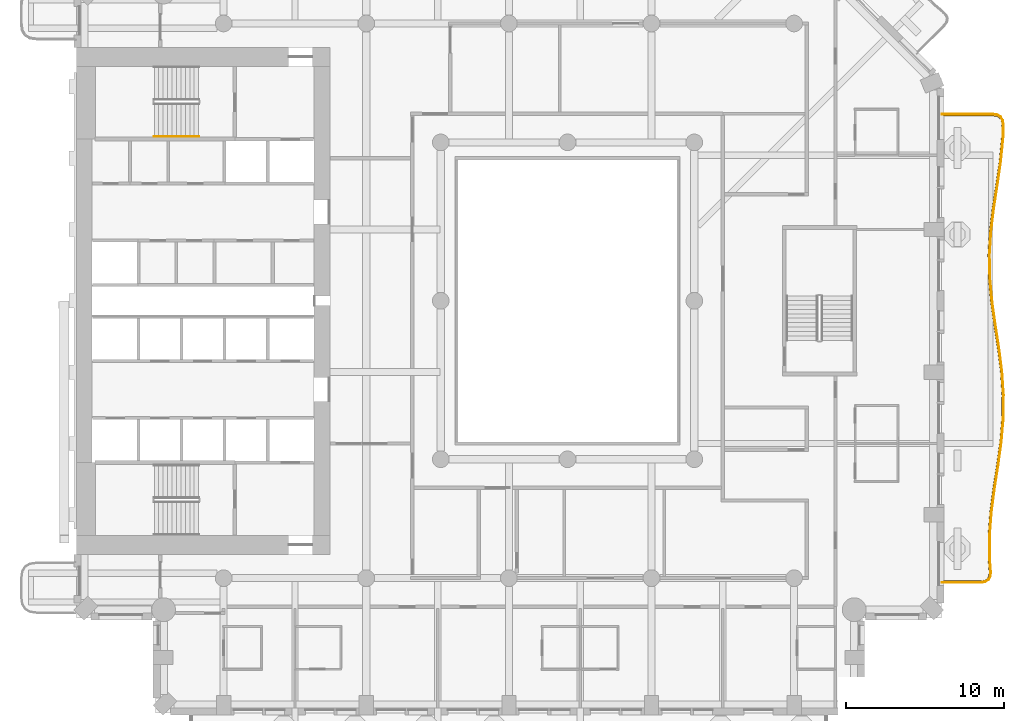
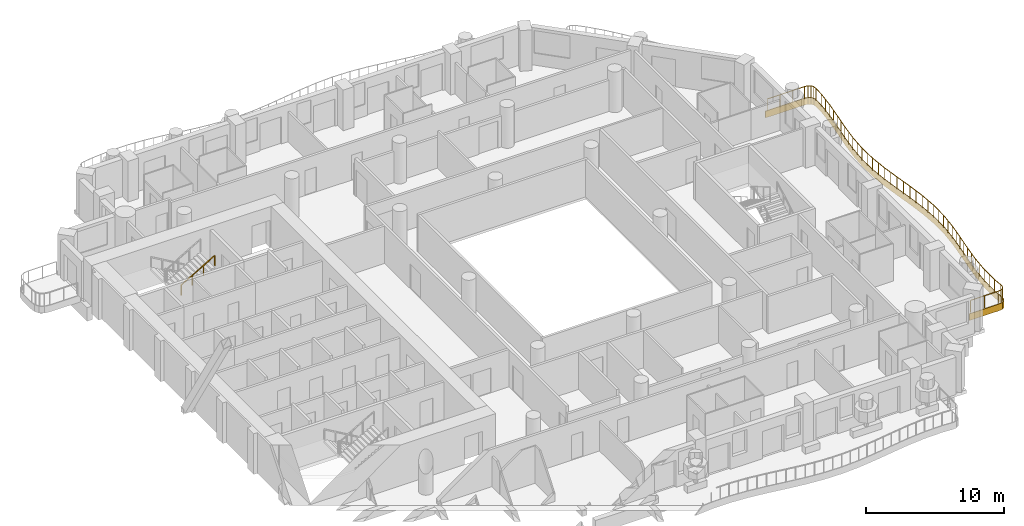
# One storey, part 17 of 21: 2 railings, 1 covering.
"""IFC4 building model written with IfcOpenShell, lengths in metres."""

from ifc_helpers import new_model, si_unit, direction, frame, origin, origin_2d, place, context, subcontext, project, spatial, polyline, rectangle, outline, extrude, material, layer, layer_set, type_object, element, save


model = new_model("IFC4")

# Units and contexts
model_context = context("Model", 3, precision=1e-05, world=origin(), true_north=direction((0.0, 1.0)))
body_context = subcontext(model_context, "Body", "Model", "MODEL_VIEW")
ifc_project = project(units=[si_unit("LENGTHUNIT", "METRE"), si_unit("AREAUNIT", "SQUARE_METRE"), si_unit("VOLUMEUNIT", "CUBIC_METRE"), si_unit("PLANEANGLEUNIT", "RADIAN"), si_unit("MASSUNIT", "GRAM", prefix="KILO")], contexts=[model_context])

# Site, building, storey
site_placement = place(None, origin())
site = spatial("IfcSite", under=ifc_project, at=site_placement, CompositionType="ELEMENT")
building_placement = place(site_placement, origin())
building = spatial("IfcBuilding", under=site, at=building_placement, Name="Cypress Arch Tower", CompositionType="ELEMENT")
storey_placement = place(building_placement, frame((0.0, 0.0, 127.5)))
storey = spatial("IfcBuildingStorey", under=building, at=storey_placement, Name="L27", CompositionType="ELEMENT", Elevation=127.5)

# Covering
ifc_material_1 = material(Name="White powder-coated aluminium fascia", Category="aluminium")
ifc_layer = layer(ifc_material_1, 0.050048828125)
ifc_layer_set = layer_set([ifc_layer], Name="Balcony fascia BF50")
covering_type = type_object("IfcCoveringType", Name="Balcony fascia BF50", PredefinedType="CLADDING", material=ifc_layer_set)
covering_placement = place(storey_placement, frame((0.0, 0.0, -0.60009765625)))
element("IfcCovering", 1, at=covering_placement, inside=storey, type_object=covering_type, Name="Balcony fascia L27-A06", PredefinedType="CLADDING", context=body_context, shape_type="SweptSolid", body=[
    extrude(outline(polyline([(27.837890625, 11.800048828125), (28.140869140625, 11.756591796875), (28.364990234375, 11.6201171875), (28.495361328125, 11.392578125), (28.531005859375, 11.08837890625), (28.509521484375, 10.27197265625), (28.3642578125, 8.7939453125), (28.150390625, 7.317626953125), (27.923583984375, 5.84326171875), (27.742919921875, 4.370361328125), (27.654296875, 2.89892578125), (27.68115234375, 1.427734375), (27.81640625, -0.044189453125), (28.025146484375, -1.517578125), (28.25341796875, -2.992919921875), (28.44189453125, -4.47021484375), (28.541748046875, -5.948486328125), (28.526611328125, -7.427490234375), (28.40087890625, -8.905517578125), (28.19677734375, -10.38232421875), (27.968017578125, -11.857177734375), (27.7734375, -13.330078125), (27.663330078125, -14.8017578125), (27.666259765625, -16.27294921875), (27.72998046875, -17.0859375), (27.710205078125, -17.390380859375), (27.59033203125, -17.619140625), (27.37158203125, -17.756591796875), (27.069580078125, -17.800048828125), (24.60107421875, -17.800048828125), (24.60107421875, -17.75), (27.06591796875, -17.75), (27.35400390625, -17.70849609375), (27.552490234375, -17.583984375), (27.660888671875, -17.376708984375), (27.679931640625, -17.086181640625), (27.616455078125, -16.27490234375), (27.61328125, -14.800048828125), (27.7236328125, -13.324951171875), (27.91845703125, -11.85009765625), (28.1474609375, -10.375), (28.35107421875, -8.89990234375), (28.476806640625, -7.425048828125), (28.49169921875, -5.949951171875), (28.39208984375, -4.47509765625), (28.203857421875, -3.0), (27.975830078125, -1.52490234375), (27.766845703125, -0.050048828125), (27.63134765625, 1.425048828125), (27.6044921875, 2.89990234375), (27.69287109375, 4.375), (27.874267578125, 5.85009765625), (28.100830078125, 7.324951171875), (28.314453125, 8.800048828125), (28.45947265625, 10.27490234375), (28.480712890625, 11.086181640625), (28.447021484375, 11.376708984375), (28.327880859375, 11.583984375), (28.123779296875, 11.70849609375), (27.834228515625, 11.75), (24.60107421875, 11.75), (24.60107421875, 11.800048828125), (27.837890625, 11.800048828125)])), origin(), (0.0, 0.0, 1.0), 0.60009765625),
])

# Railings
ifc_material_2 = material(Name="Powder-coated steel posts and rods, 100 mm clear between rods", Category="steel")
railing_type_1 = type_object("IfcRailingType", Name="Balcony guard GR1100", PredefinedType="GUARDRAIL", material=ifc_material_2)
railing_1_placement = place(storey_placement, frame((24.75, 11.699951171875, 0.0)))
element("IfcRailing", 2, at=railing_1_placement, inside=storey, type_object=railing_type_1, Name="Balcony guard L27-A06", PredefinedType="GUARDRAIL", context=body_context, shape_type="SweptSolid", body=[
    extrude(rectangle(XDim=0.050048828125, YDim=0.050048828125, at=origin_2d()), frame((0.0, 0.0, 1.0751953125), z_axis=(1.0, 0.0, 0.0), x_axis=(0.0, 1.0, 0.0)), (0.0, 0.0, 1.0), 3.080810546875),
    extrude(rectangle(XDim=0.050048828125, YDim=0.050048828125, at=origin_2d()), frame((3.080810546875, 0.0, 1.0751953125), z_axis=(0.989861627452, -0.142035060804, 0.0), x_axis=(0.142035060804, 0.989861627452, 0.0)), (0.0, 0.0, 1.0), 0.278564453125),
    extrude(rectangle(XDim=0.050048828125, YDim=0.050048828125, at=origin_2d()), frame((3.3564453125, -0.03955078125, 1.0751953125), z_axis=(0.854285826933, -0.519803545488, 0.0), x_axis=(0.519803545488, 0.854285826933, 0.0)), (0.0, 0.0, 1.0), 0.216064453125),
    extrude(rectangle(XDim=0.050048828125, YDim=0.050048828125, at=origin_2d()), frame((3.541015625, -0.15185546875, 1.0751953125), z_axis=(0.49711199272, -0.867686387293, 0.0), x_axis=(0.867686387293, 0.49711199272, 0.0)), (0.0, 0.0, 1.0), 0.216064453125),
    extrude(rectangle(XDim=0.050048828125, YDim=0.050048828125, at=origin_2d()), frame((3.6484375, -0.33935546875, 1.0751953125), z_axis=(0.115722131173, -0.993281625903, 0.0), x_axis=(0.993281625903, 0.115722131173, 0.0)), (0.0, 0.0, 1.0), 0.278564453125),
    extrude(rectangle(XDim=0.050048828125, YDim=0.050048828125, at=origin_2d()), frame((3.6806640625, -0.615966796875, 1.0751953125), z_axis=(-0.02604387424, -0.999660800779, 0.0), x_axis=(0.999660800779, -0.02604387424, 0.0)), (0.0, 0.0, 1.0), 0.80615234375),
    extrude(rectangle(XDim=0.050048828125, YDim=0.050048828125, at=origin_2d()), frame((3.65966796875, -1.421875, 1.0751953125), z_axis=(-0.097885589811, -0.995197674488, 0.0), x_axis=(0.995197674488, -0.097885589811, 0.0)), (0.0, 0.0, 1.0), 1.47900390625),
    extrude(rectangle(XDim=0.050048828125, YDim=0.050048828125, at=origin_2d()), frame((3.514892578125, -2.893798828125, 1.0751953125), z_axis=(-0.143280142127, -0.989682171645, 0.0), x_axis=(0.989682171645, -0.143280142127, 0.0)), (0.0, 0.0, 1.0), 1.4892578125),
    extrude(rectangle(XDim=0.050048828125, YDim=0.050048828125, at=origin_2d()), frame((3.301513671875, -4.36767578125, 1.0751953125), z_axis=(-0.151946568068, -0.988388709189, 0.0), x_axis=(0.988388709189, -0.151946568068, 0.0)), (0.0, 0.0, 1.0), 1.49267578125),
    extrude(rectangle(XDim=0.050048828125, YDim=0.050048828125, at=origin_2d()), frame((3.07470703125, -5.843017578125, 1.0751953125), z_axis=(-0.122035880486, -0.992525689277, 0.0), x_axis=(0.992525689277, -0.122035880486, 0.0)), (0.0, 0.0, 1.0), 1.488525390625),
    extrude(rectangle(XDim=0.050048828125, YDim=0.050048828125, at=origin_2d()), frame((2.89306640625, -7.3203125, 1.0751953125), z_axis=(-0.0598331648, -0.998208391264, 0.0), x_axis=(0.998208391264, -0.0598331648, 0.0)), (0.0, 0.0, 1.0), 1.481201171875),
    extrude(rectangle(XDim=0.050048828125, YDim=0.050048828125, at=origin_2d()), frame((2.804443359375, -8.798828125, 1.0751953125), z_axis=(0.018157811568, -0.999835133349, 0.0), x_axis=(0.999835133349, 0.018157811568, 0.0)), (0.0, 0.0, 1.0), 1.47900390625),
    extrude(rectangle(XDim=0.050048828125, YDim=0.050048828125, at=origin_2d()), frame((2.831298828125, -10.277587890625, 1.0751953125), z_axis=(0.091440243482, -0.995810565254, 0.0), x_axis=(0.995810565254, 0.091440243482, 0.0)), (0.0, 0.0, 1.0), 1.484375),
    extrude(rectangle(XDim=0.050048828125, YDim=0.050048828125, at=origin_2d()), frame((2.967041015625, -11.755859375, 1.0751953125), z_axis=(0.140320969103, -0.990106067869, 0.0), x_axis=(0.990106067869, 0.140320969103, 0.0)), (0.0, 0.0, 1.0), 1.490966796875),
    extrude(rectangle(XDim=0.050048828125, YDim=0.050048828125, at=origin_2d()), frame((3.17626953125, -13.232177734375, 1.0751953125), z_axis=(0.152794723353, -0.988257948369, 0.0), x_axis=(0.988257948369, 0.152794723353, 0.0)), (0.0, 0.0, 1.0), 1.492431640625),
    extrude(rectangle(XDim=0.050048828125, YDim=0.050048828125, at=origin_2d()), frame((3.404296875, -14.70703125, 1.0751953125), z_axis=(0.126625001179, -0.99195065859, 0.0), x_axis=(0.99195065859, 0.126625001179, 0.0)), (0.0, 0.0, 1.0), 1.484619140625),
    extrude(rectangle(XDim=0.050048828125, YDim=0.050048828125, at=origin_2d()), frame((3.59228515625, -16.1796875, 1.0751953125), z_axis=(0.067364874181, -0.997728406795, 0.0), x_axis=(0.997728406795, 0.067364874181, 0.0)), (0.0, 0.0, 1.0), 1.47509765625),
    extrude(rectangle(XDim=0.050048828125, YDim=0.050048828125, at=origin_2d()), frame((3.691650390625, -17.6513671875, 1.0751953125), z_axis=(-0.010122282587, -0.999948768385, 0.0), x_axis=(0.999948768385, -0.010122282587, 0.0)), (0.0, 0.0, 1.0), 1.47119140625),
    extrude(rectangle(XDim=0.050048828125, YDim=0.050048828125, at=origin_2d()), frame((3.6767578125, -19.12255859375, 1.0751953125), z_axis=(-0.084782375138, -0.996399492606, 0.0), x_axis=(0.996399492606, -0.084782375138, 0.0)), (0.0, 0.0, 1.0), 1.477294921875),
    extrude(rectangle(XDim=0.050048828125, YDim=0.050048828125, at=origin_2d()), frame((3.551513671875, -20.594482421875, 1.0751953125), z_axis=(-0.136915153649, -0.990582778319, 0.0), x_axis=(0.990582778319, -0.136915153649, 0.0)), (0.0, 0.0, 1.0), 1.487060546875),
    extrude(rectangle(XDim=0.050048828125, YDim=0.050048828125, at=origin_2d()), frame((3.347900390625, -22.067626953125, 1.0751953125), z_axis=(-0.15340892067, -0.98816279178, 0.0), x_axis=(0.98816279178, -0.15340892067, 0.0)), (0.0, 0.0, 1.0), 1.49267578125),
    extrude(rectangle(XDim=0.050048828125, YDim=0.050048828125, at=origin_2d()), frame((3.118896484375, -23.542724609375, 1.0751953125), z_axis=(-0.130929252819, -0.991391714085, 0.0), x_axis=(0.991391714085, -0.130929252819, 0.0)), (0.0, 0.0, 1.0), 1.489990234375),
    extrude(rectangle(XDim=0.050048828125, YDim=0.050048828125, at=origin_2d()), frame((2.923828125, -25.019775390625, 1.0751953125), z_axis=(-0.074441925424, -0.99722535053, 0.0), x_axis=(0.99722535053, -0.074441925424, 0.0)), (0.0, 0.0, 1.0), 1.482421875),
    extrude(rectangle(XDim=0.050048828125, YDim=0.050048828125, at=origin_2d()), frame((2.8134765625, -26.498046875, 1.0751953125), z_axis=(0.00198084788, -0.999998038119, 0.0), x_axis=(0.999998038119, 0.00198084788, 0.0)), (0.0, 0.0, 1.0), 1.47900390625),
    extrude(rectangle(XDim=0.050048828125, YDim=0.050048828125, at=origin_2d()), frame((2.81640625, -27.97705078125, 1.0751953125), z_axis=(0.077868990494, -0.996963600298, 0.0), x_axis=(0.996963600298, 0.077868990494, 0.0)), (0.0, 0.0, 1.0), 0.81201171875),
    extrude(rectangle(XDim=0.050048828125, YDim=0.050048828125, at=origin_2d()), frame((2.879638671875, -28.78662109375, 1.0751953125), z_axis=(-0.064410622486, -0.997923479888, 0.0), x_axis=(0.997923479888, -0.064410622486, 0.0)), (0.0, 0.0, 1.0), 0.276611328125),
    extrude(rectangle(XDim=0.050048828125, YDim=0.050048828125, at=origin_2d()), frame((2.86181640625, -29.062744140625, 1.0751953125), z_axis=(-0.46387666281, -0.885899792133, 0.0), x_axis=(0.885899792133, -0.46387666281, 0.0)), (0.0, 0.0, 1.0), 0.2099609375),
    extrude(rectangle(XDim=0.050048828125, YDim=0.050048828125, at=origin_2d()), frame((2.764404296875, -29.248779296875, 1.0751953125), z_axis=(-0.846756147172, -0.531981228265, 0.0), x_axis=(0.531981228265, -0.846756147172, 0.0)), (0.0, 0.0, 1.0), 0.210205078125),
    extrude(rectangle(XDim=0.050048828125, YDim=0.050048828125, at=origin_2d()), frame((2.58642578125, -29.360595703125, 1.0751953125), z_axis=(-0.989861078122, -0.142038889107, 0.0), x_axis=(0.142038889107, -0.989861078122, 0.0)), (0.0, 0.0, 1.0), 0.276611328125),
    extrude(rectangle(XDim=0.050048828125, YDim=0.050048828125, at=origin_2d()), frame((2.3125, -29.39990234375, 1.0751953125), z_axis=(-1.0, 0.0, 0.0), x_axis=(0.0, -1.0, 0.0)), (0.0, 0.0, 1.0), 2.3125),
    extrude(rectangle(XDim=0.0400390625, YDim=0.0400390625, at=origin_2d()), origin(), (0.0, 0.0, 1.0), 1.050048828125),
    extrude(rectangle(XDim=0.0400390625, YDim=0.0400390625, at=origin_2d()), frame((1.02685546875, 0.0, 0.0)), (0.0, 0.0, 1.0), 1.050048828125),
    extrude(rectangle(XDim=0.0400390625, YDim=0.0400390625, at=origin_2d()), frame((2.053955078125, 0.0, 0.0)), (0.0, 0.0, 1.0), 1.050048828125),
    extrude(rectangle(XDim=0.0400390625, YDim=0.0400390625, at=origin_2d()), frame((3.080810546875, 0.0, 0.0)), (0.0, 0.0, 1.0), 1.050048828125),
    extrude(rectangle(XDim=0.0400390625, YDim=0.0400390625, at=origin_2d()), frame((3.3564453125, -0.03955078125, 0.0)), (0.0, 0.0, 1.0), 1.050048828125),
    extrude(rectangle(XDim=0.0400390625, YDim=0.0400390625, at=origin_2d()), frame((3.541015625, -0.15185546875, 0.0)), (0.0, 0.0, 1.0), 1.050048828125),
    extrude(rectangle(XDim=0.0400390625, YDim=0.0400390625, at=origin_2d()), frame((3.6484375, -0.33935546875, 0.0)), (0.0, 0.0, 1.0), 1.050048828125),
    extrude(rectangle(XDim=0.0400390625, YDim=0.0400390625, at=origin_2d()), frame((3.6806640625, -0.615966796875, 0.0)), (0.0, 0.0, 1.0), 1.050048828125),
    extrude(rectangle(XDim=0.0400390625, YDim=0.0400390625, at=origin_2d()), frame((3.65966796875, -1.421875, 0.0)), (0.0, 0.0, 1.0), 1.050048828125),
    extrude(rectangle(XDim=0.0400390625, YDim=0.0400390625, at=origin_2d()), frame((3.58740234375, -2.15771484375, 0.0)), (0.0, 0.0, 1.0), 1.050048828125),
    extrude(rectangle(XDim=0.0400390625, YDim=0.0400390625, at=origin_2d()), frame((3.514892578125, -2.893798828125, 0.0)), (0.0, 0.0, 1.0), 1.050048828125),
    extrude(rectangle(XDim=0.0400390625, YDim=0.0400390625, at=origin_2d()), frame((3.408203125, -3.630859375, 0.0)), (0.0, 0.0, 1.0), 1.050048828125),
    extrude(rectangle(XDim=0.0400390625, YDim=0.0400390625, at=origin_2d()), frame((3.301513671875, -4.36767578125, 0.0)), (0.0, 0.0, 1.0), 1.050048828125),
    extrude(rectangle(XDim=0.0400390625, YDim=0.0400390625, at=origin_2d()), frame((3.18798828125, -5.10546875, 0.0)), (0.0, 0.0, 1.0), 1.050048828125),
    extrude(rectangle(XDim=0.0400390625, YDim=0.0400390625, at=origin_2d()), frame((3.07470703125, -5.843017578125, 0.0)), (0.0, 0.0, 1.0), 1.050048828125),
    extrude(rectangle(XDim=0.0400390625, YDim=0.0400390625, at=origin_2d()), frame((2.98388671875, -6.58154296875, 0.0)), (0.0, 0.0, 1.0), 1.050048828125),
    extrude(rectangle(XDim=0.0400390625, YDim=0.0400390625, at=origin_2d()), frame((2.89306640625, -7.3203125, 0.0)), (0.0, 0.0, 1.0), 1.050048828125),
    extrude(rectangle(XDim=0.0400390625, YDim=0.0400390625, at=origin_2d()), frame((2.8486328125, -8.0595703125, 0.0)), (0.0, 0.0, 1.0), 1.050048828125),
    extrude(rectangle(XDim=0.0400390625, YDim=0.0400390625, at=origin_2d()), frame((2.804443359375, -8.798828125, 0.0)), (0.0, 0.0, 1.0), 1.050048828125),
    extrude(rectangle(XDim=0.0400390625, YDim=0.0400390625, at=origin_2d()), frame((2.81787109375, -9.5380859375, 0.0)), (0.0, 0.0, 1.0), 1.050048828125),
    extrude(rectangle(XDim=0.0400390625, YDim=0.0400390625, at=origin_2d()), frame((2.831298828125, -10.277587890625, 0.0)), (0.0, 0.0, 1.0), 1.050048828125),
    extrude(rectangle(XDim=0.0400390625, YDim=0.0400390625, at=origin_2d()), frame((2.899169921875, -11.0166015625, 0.0)), (0.0, 0.0, 1.0), 1.050048828125),
    extrude(rectangle(XDim=0.0400390625, YDim=0.0400390625, at=origin_2d()), frame((2.967041015625, -11.755859375, 0.0)), (0.0, 0.0, 1.0), 1.050048828125),
    extrude(rectangle(XDim=0.0400390625, YDim=0.0400390625, at=origin_2d()), frame((3.07177734375, -12.494140625, 0.0)), (0.0, 0.0, 1.0), 1.050048828125),
    extrude(rectangle(XDim=0.0400390625, YDim=0.0400390625, at=origin_2d()), frame((3.17626953125, -13.232177734375, 0.0)), (0.0, 0.0, 1.0), 1.050048828125),
    extrude(rectangle(XDim=0.0400390625, YDim=0.0400390625, at=origin_2d()), frame((3.290283203125, -13.9697265625, 0.0)), (0.0, 0.0, 1.0), 1.050048828125),
    extrude(rectangle(XDim=0.0400390625, YDim=0.0400390625, at=origin_2d()), frame((3.404296875, -14.70703125, 0.0)), (0.0, 0.0, 1.0), 1.050048828125),
    extrude(rectangle(XDim=0.0400390625, YDim=0.0400390625, at=origin_2d()), frame((3.498291015625, -15.443359375, 0.0)), (0.0, 0.0, 1.0), 1.050048828125),
    extrude(rectangle(XDim=0.0400390625, YDim=0.0400390625, at=origin_2d()), frame((3.59228515625, -16.1796875, 0.0)), (0.0, 0.0, 1.0), 1.050048828125),
    extrude(rectangle(XDim=0.0400390625, YDim=0.0400390625, at=origin_2d()), frame((3.64208984375, -16.91552734375, 0.0)), (0.0, 0.0, 1.0), 1.050048828125),
    extrude(rectangle(XDim=0.0400390625, YDim=0.0400390625, at=origin_2d()), frame((3.691650390625, -17.6513671875, 0.0)), (0.0, 0.0, 1.0), 1.050048828125),
    extrude(rectangle(XDim=0.0400390625, YDim=0.0400390625, at=origin_2d()), frame((3.68408203125, -18.386962890625, 0.0)), (0.0, 0.0, 1.0), 1.050048828125),
    extrude(rectangle(XDim=0.0400390625, YDim=0.0400390625, at=origin_2d()), frame((3.6767578125, -19.12255859375, 0.0)), (0.0, 0.0, 1.0), 1.050048828125),
    extrude(rectangle(XDim=0.0400390625, YDim=0.0400390625, at=origin_2d()), frame((3.6142578125, -19.8583984375, 0.0)), (0.0, 0.0, 1.0), 1.050048828125),
    extrude(rectangle(XDim=0.0400390625, YDim=0.0400390625, at=origin_2d()), frame((3.551513671875, -20.594482421875, 0.0)), (0.0, 0.0, 1.0), 1.050048828125),
    extrude(rectangle(XDim=0.0400390625, YDim=0.0400390625, at=origin_2d()), frame((3.44970703125, -21.3310546875, 0.0)), (0.0, 0.0, 1.0), 1.050048828125),
    extrude(rectangle(XDim=0.0400390625, YDim=0.0400390625, at=origin_2d()), frame((3.347900390625, -22.067626953125, 0.0)), (0.0, 0.0, 1.0), 1.050048828125),
    extrude(rectangle(XDim=0.0400390625, YDim=0.0400390625, at=origin_2d()), frame((3.2333984375, -22.80517578125, 0.0)), (0.0, 0.0, 1.0), 1.050048828125),
    extrude(rectangle(XDim=0.0400390625, YDim=0.0400390625, at=origin_2d()), frame((3.118896484375, -23.542724609375, 0.0)), (0.0, 0.0, 1.0), 1.050048828125),
    extrude(rectangle(XDim=0.0400390625, YDim=0.0400390625, at=origin_2d()), frame((3.021484375, -24.28125, 0.0)), (0.0, 0.0, 1.0), 1.050048828125),
    extrude(rectangle(XDim=0.0400390625, YDim=0.0400390625, at=origin_2d()), frame((2.923828125, -25.019775390625, 0.0)), (0.0, 0.0, 1.0), 1.050048828125),
    extrude(rectangle(XDim=0.0400390625, YDim=0.0400390625, at=origin_2d()), frame((2.86865234375, -25.7587890625, 0.0)), (0.0, 0.0, 1.0), 1.050048828125),
    extrude(rectangle(XDim=0.0400390625, YDim=0.0400390625, at=origin_2d()), frame((2.8134765625, -26.498046875, 0.0)), (0.0, 0.0, 1.0), 1.050048828125),
    extrude(rectangle(XDim=0.0400390625, YDim=0.0400390625, at=origin_2d()), frame((2.81494140625, -27.237548828125, 0.0)), (0.0, 0.0, 1.0), 1.050048828125),
    extrude(rectangle(XDim=0.0400390625, YDim=0.0400390625, at=origin_2d()), frame((2.81640625, -27.97705078125, 0.0)), (0.0, 0.0, 1.0), 1.050048828125),
    extrude(rectangle(XDim=0.0400390625, YDim=0.0400390625, at=origin_2d()), frame((2.879638671875, -28.78662109375, 0.0)), (0.0, 0.0, 1.0), 1.050048828125),
    extrude(rectangle(XDim=0.0400390625, YDim=0.0400390625, at=origin_2d()), frame((2.86181640625, -29.062744140625, 0.0)), (0.0, 0.0, 1.0), 1.050048828125),
    extrude(rectangle(XDim=0.0400390625, YDim=0.0400390625, at=origin_2d()), frame((2.764404296875, -29.248779296875, 0.0)), (0.0, 0.0, 1.0), 1.050048828125),
    extrude(rectangle(XDim=0.0400390625, YDim=0.0400390625, at=origin_2d()), frame((2.58642578125, -29.360595703125, 0.0)), (0.0, 0.0, 1.0), 1.050048828125),
    extrude(rectangle(XDim=0.0400390625, YDim=0.0400390625, at=origin_2d()), frame((2.3125, -29.39990234375, 0.0)), (0.0, 0.0, 1.0), 1.050048828125),
    extrude(rectangle(XDim=0.0400390625, YDim=0.0400390625, at=origin_2d()), frame((1.15625, -29.39990234375, 0.0)), (0.0, 0.0, 1.0), 1.050048828125),
    extrude(rectangle(XDim=0.0400390625, YDim=0.0400390625, at=origin_2d()), frame((0.0, -29.39990234375, 0.0)), (0.0, 0.0, 1.0), 1.050048828125),
])
ifc_material_3 = material(Name="Black powder-coated steel square bar 48 mm", Category="steel")
railing_type_2 = type_object("IfcRailingType", Name="Stair handrail HR1", PredefinedType="HANDRAIL", material=ifc_material_3)
railing_2_placement = place(storey_placement, frame((-25.074951171875, 10.375, 1.963623046875)))
element("IfcRailing", 3, at=railing_2_placement, inside=storey, type_object=railing_type_2, Name="L27 B stair handrail 2", PredefinedType="HANDRAIL", context=body_context, shape_type="SweptSolid", body=[
    extrude(rectangle(XDim=0.048095703125, YDim=0.048095703125, at=origin_2d()), frame((0.0, 0.0, 0.8759765625), z_axis=(0.863360870873, 0.0, 0.504586966384), x_axis=(0.0, 1.0, 0.0)), (0.0, 0.0, 1.0), 3.2431640625),
    extrude(rectangle(XDim=0.0419921875, YDim=0.0419921875, at=origin_2d()), origin(), (0.0, 0.0, 1.0), 0.851806640625),
    extrude(rectangle(XDim=0.0419921875, YDim=0.0419921875, at=origin_2d()), frame((0.933349609375, 0.0, 0.54541015625)), (0.0, 0.0, 1.0), 0.851806640625),
    extrude(rectangle(XDim=0.0419921875, YDim=0.0419921875, at=origin_2d()), frame((1.86669921875, 0.0, 1.091064453125)), (0.0, 0.0, 1.0), 0.851806640625),
    extrude(rectangle(XDim=0.0419921875, YDim=0.0419921875, at=origin_2d()), frame((2.800048828125, 0.0, 1.636474609375)), (0.0, 0.0, 1.0), 0.851806640625),
])

save(model, "model.ifc")
